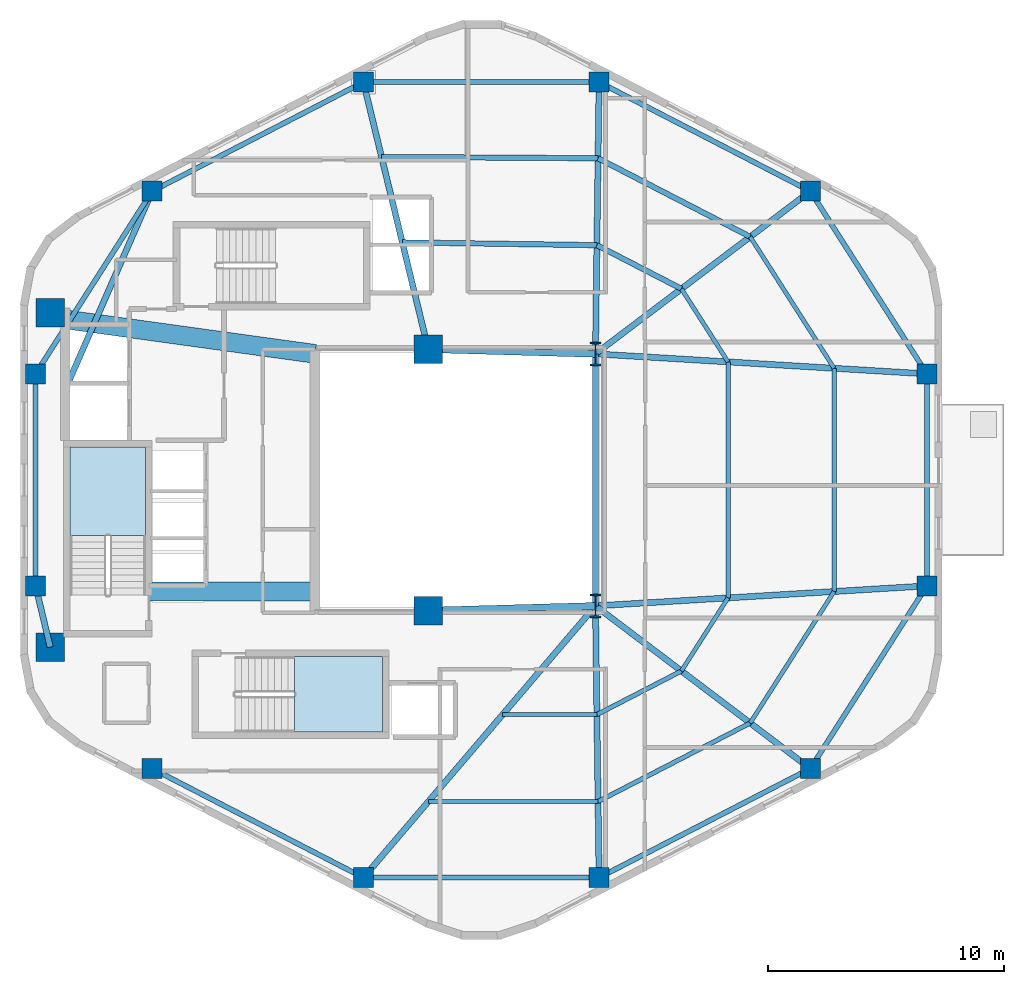
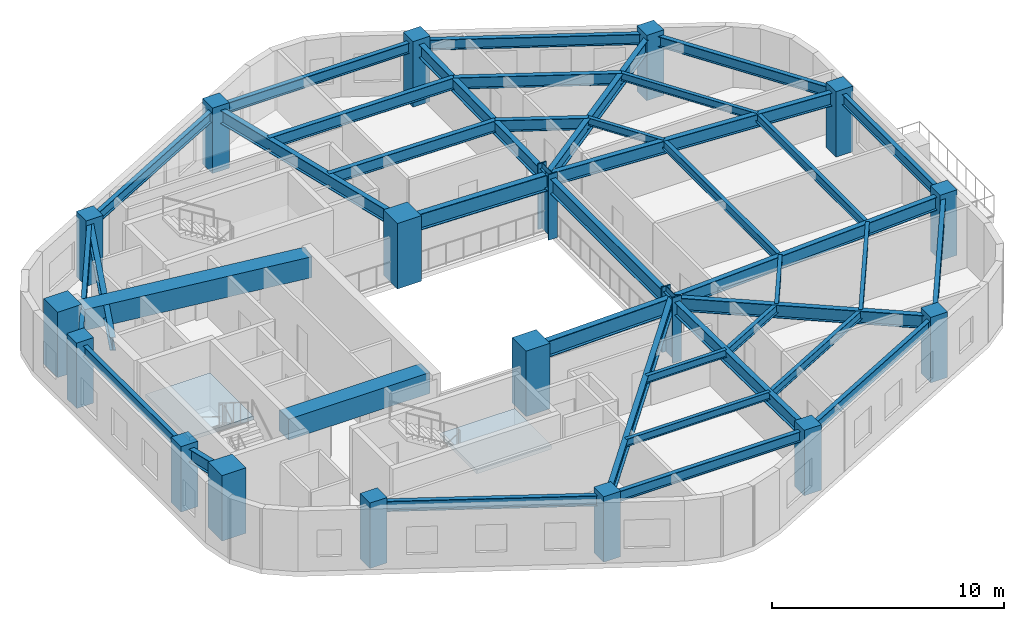
# One storey, part 1 of 7: 40 beams, 18 columns, 2 slabs, 2 elements without a shape of their own.
"""IFC4 building model written with IfcOpenShell, lengths in metres."""

import ifcopenshell
import ifcopenshell.guid

model = None  # the IFC model being written
_history = None  # IfcOwnerHistory: only IFC2X3 demands one
_inside = {}  # id of a spatial element -> (the spatial element, [elements in it])
_under = {}  # id of a project, library or spatial element -> (it, [spatial elements below it])
_declared = {}  # id of a project -> (the project, [libraries it declares])
_typed = {}  # id of a type object -> (the type object, [elements of that type])
_made_of = {}  # id of a material, layer set ... -> (it, [elements and type objects made of it])


def new_model(schema):
    """Start an empty IFC model of exactly this schema.

    Asked for "IFC4X3", IfcOpenShell would pick the latest addendum, in which some entities
    have other attributes; the version numbers below select the first issue.
    IFC2X3 requires an IfcOwnerHistory on every rooted entity: one is made here for all.
    """
    global model, _history
    if schema == "IFC4X3":
        model = ifcopenshell.file(schema_version=(4, 3, 0, 0))
    else:
        model = ifcopenshell.file(schema=schema)
    _inside.clear()
    _under.clear()
    _declared.clear()
    _typed.clear()
    _made_of.clear()
    _history = None
    if model.schema == "IFC2X3":
        org = make("IfcOrganization", Name="unknown")
        user = make(
            "IfcPersonAndOrganization",
            ThePerson=make("IfcPerson", FamilyName="unknown"),
            TheOrganization=org,
        )
        app = make(
            "IfcApplication",
            ApplicationDeveloper=org,
            Version="unknown",
            ApplicationFullName="unknown",
            ApplicationIdentifier="unknown",
        )
        _history = make(
            "IfcOwnerHistory",
            OwningUser=user,
            OwningApplication=app,
            ChangeAction="ADDED",
            CreationDate=0,
        )
    return model


def make(cls, **values):
    """One entity of the class cls with the attributes given. An attribute that is None is left unset."""
    return model.create_entity(
        cls, **{name: value for name, value in values.items() if value is not None}
    )


def rooted(cls, **values):
    """An entity with a GlobalId (a new one), such as an element, a storey or a relation."""
    return make(cls, GlobalId=ifcopenshell.guid.new(), OwnerHistory=_history, **values)


def si_unit(unit_type, name, prefix=None):
    """IfcSIUnit, for example si_unit("LENGTHUNIT", "METRE", prefix="MILLI")."""
    return make("IfcSIUnit", UnitType=unit_type, Prefix=prefix, Name=name)


def assignment(units):
    """IfcUnitAssignment: the units of a project."""
    return None if units is None else make("IfcUnitAssignment", Units=units)


def point(xyz):
    """IfcCartesianPoint."""
    return None if xyz is None else make("IfcCartesianPoint", Coordinates=xyz)


def direction(xyz):
    """IfcDirection."""
    return None if xyz is None else make("IfcDirection", DirectionRatios=xyz)


def frame(location, z_axis=None, x_axis=None):
    """IfcAxis2Placement3D, a coordinate frame: its origin and axes. An axis left out is left unset."""
    return make(
        "IfcAxis2Placement3D",
        Location=point(location),
        Axis=direction(z_axis),
        RefDirection=direction(x_axis),
    )


def frame_2d(location, x_axis=None):
    """IfcAxis2Placement2D, a coordinate frame in the plane: its origin and x axis."""
    return make(
        "IfcAxis2Placement2D", Location=point(location), RefDirection=direction(x_axis)
    )


def origin():
    """The frame at (0, 0, 0) with its axes left unset."""
    return frame((0.0, 0.0, 0.0))


def origin_2d():
    """The frame at (0, 0) in the plane with its x axis left unset."""
    return frame_2d((0.0, 0.0))


def place(relative_to, where):
    """IfcLocalPlacement: puts the frame where relative to a parent placement (None: the world)."""
    return make(
        "IfcLocalPlacement", PlacementRelTo=relative_to, RelativePlacement=where
    )


def context(
    kind, dimensions, precision=None, world=None, true_north=None, identifier=None
):
    """IfcGeometricRepresentationContext, for example the 3D "Model" context."""
    return make(
        "IfcGeometricRepresentationContext",
        ContextIdentifier=identifier,
        ContextType=kind,
        CoordinateSpaceDimension=dimensions,
        Precision=precision,
        WorldCoordinateSystem=world,
        TrueNorth=true_north,
    )


def subcontext(parent, identifier, kind, view, scale=None):
    """IfcGeometricRepresentationSubContext, for example "Body" below "Model"."""
    return make(
        "IfcGeometricRepresentationSubContext",
        ContextIdentifier=identifier,
        ContextType=kind,
        ParentContext=parent,
        TargetScale=scale,
        TargetView=view,
    )


def project(units=None, contexts=None):
    """IfcProject with its units and contexts."""
    return rooted(
        "IfcProject",
        Name="project",
        RepresentationContexts=contexts,
        UnitsInContext=assignment(units),
    )


def spatial(cls, under=None, at=None, **own):
    """A site, building, storey or space (cls), placed at a placement, below another one or the project."""
    s = rooted(cls, ObjectPlacement=at, **own)
    if under is not None:
        _under.setdefault(under.id(), (under, []))[1].append(s)
    return s


def polyline(points):
    """IfcPolyline through the points."""
    return make("IfcPolyline", Points=[point(p) for p in points])


def profile(cls, at=None, kind="AREA", **sizes):
    """A parametric profile (cls). Its sizes go by their IFC names, for example OverallWidth=200.0."""
    return make(cls, ProfileType=kind, Position=at, **sizes)


def rectangle(**sizes):
    """IfcRectangleProfileDef."""
    return profile("IfcRectangleProfileDef", **sizes)


def i_section(**sizes):
    """IfcIShapeProfileDef."""
    return profile("IfcIShapeProfileDef", **sizes)


def outline(outer, holes=None, kind="AREA"):
    """IfcArbitraryClosedProfileDef: a profile drawn as a closed curve; with holes, ...WithVoids."""
    if holes is None:
        return make("IfcArbitraryClosedProfileDef", ProfileType=kind, OuterCurve=outer)
    return make(
        "IfcArbitraryProfileDefWithVoids",
        ProfileType=kind,
        OuterCurve=outer,
        InnerCurves=holes,
    )


def extrude(swept, where, along, depth):
    """IfcExtrudedAreaSolid: the profile swept, set in the frame where, extruded along a direction by depth."""
    return make(
        "IfcExtrudedAreaSolid",
        SweptArea=swept,
        Position=where,
        ExtrudedDirection=direction(along),
        Depth=depth,
    )


def shape(context_of_items, identifier, shape_type, items):
    """IfcShapeRepresentation: the items that make up one representation, for example the "Body"."""
    return make(
        "IfcShapeRepresentation",
        ContextOfItems=context_of_items,
        RepresentationIdentifier=identifier,
        RepresentationType=shape_type,
        Items=items,
    )


def material(Name=None, Category=None):
    """IfcMaterial."""
    return make("IfcMaterial", Name=Name, Category=Category)


def layer(
    of_material, thickness, ventilated=None, Name=None, Category=None, Priority=None
):
    """IfcMaterialLayer: one layer of a wall or slab, of a material (None: an air gap)."""
    return make(
        "IfcMaterialLayer",
        Material=of_material,
        LayerThickness=thickness,
        IsVentilated=ventilated,
        Name=Name,
        Category=Category,
        Priority=Priority,
    )


def layer_set(layers, Name=None):
    """IfcMaterialLayerSet."""
    return make("IfcMaterialLayerSet", MaterialLayers=layers, LayerSetName=Name)


def material_profile(
    of_material, cross_section, Name=None, Category=None, Priority=None
):
    """IfcMaterialProfile: a cross section and its material."""
    return make(
        "IfcMaterialProfile",
        Name=Name,
        Material=of_material,
        Profile=cross_section,
        Priority=Priority,
        Category=Category,
    )


def profile_set(profiles, Name=None, composite=None):
    """IfcMaterialProfileSet."""
    return make(
        "IfcMaterialProfileSet",
        Name=Name,
        MaterialProfiles=profiles,
        CompositeProfile=composite,
    )


def made_of(thing, what):
    """Note that an element or type object is made of a material, layer set ...; save() writes the relation."""
    if what is not None:
        _made_of.setdefault(what.id(), (what, []))[1].append(thing)
    return thing


def type_object(cls, material=None, **own):
    """A type object (cls), such as IfcWallType, which elements share."""
    return made_of(rooted(cls, **own), material)


def element(
    cls,
    number,
    at=None,
    inside=None,
    cuts=None,
    type_object=None,
    material=None,
    context=None,
    identifier="Body",
    shape_type=None,
    held_by="IfcProductDefinitionShape",
    body=None,
    shapes=None,
    **own,
):
    """One element of the class cls, such as IfcWall. Its Tag is "e" and its number.

    at: its placement. inside: the storey or other place that contains it. cuts: it is an
    opening in that element (IfcRelVoidsElement). A single representation is given by context,
    identifier, shape_type and body (its items); several are given by shapes. held_by: the class
    of the entity that holds the representations. save() writes the other relations.
    """
    e = rooted(cls, Tag="e%d" % number, ObjectPlacement=at, **own)
    if body is not None:
        shapes = [shape(context, identifier, shape_type, body)]
    if shapes is not None:
        e.Representation = make(held_by, Representations=shapes)
    if inside is not None:
        _inside.setdefault(inside.id(), (inside, []))[1].append(e)
    if cuts is not None:
        rooted(
            "IfcRelVoidsElement", RelatingBuildingElement=cuts, RelatedOpeningElement=e
        )
    if type_object is not None:
        _typed.setdefault(type_object.id(), (type_object, []))[1].append(e)
    return made_of(e, material)


def aggregate(whole, parts):
    """IfcRelAggregates: a whole, such as a stair, and the parts it consists of."""
    return rooted("IfcRelAggregates", RelatingObject=whole, RelatedObjects=parts)


def save(model, path):
    """Write the relations noted so far, then the file.

    IfcRelAggregates (storeys below a building ...), IfcRelContainedInSpatialStructure (elements
    in a storey), IfcRelDefinesByType, IfcRelAssociatesMaterial and IfcRelDeclares: one each for
    every whole, place, type object, material and project.
    """
    for whole, parts in _under.values():
        aggregate(whole, parts)
    for where, things in _inside.values():
        rooted(
            "IfcRelContainedInSpatialStructure",
            RelatedElements=things,
            RelatingStructure=where,
        )
    for kind, things in _typed.values():
        rooted("IfcRelDefinesByType", RelatedObjects=things, RelatingType=kind)
    for what, things in _made_of.values():
        rooted("IfcRelAssociatesMaterial", RelatedObjects=things, RelatingMaterial=what)
    for by, libraries in _declared.values():
        rooted("IfcRelDeclares", RelatingContext=by, RelatedDefinitions=libraries)
    model.write(path)


model = new_model("IFC4")

# Units and contexts
model_context = context("Model", 3, precision=1e-05, world=origin(), true_north=direction((0.0, 1.0)))
body_context = subcontext(model_context, "Body", "Model", "MODEL_VIEW")
ifc_project = project(units=[si_unit("LENGTHUNIT", "METRE"), si_unit("AREAUNIT", "SQUARE_METRE"), si_unit("VOLUMEUNIT", "CUBIC_METRE"), si_unit("PLANEANGLEUNIT", "RADIAN"), si_unit("MASSUNIT", "GRAM", prefix="KILO"), si_unit("THERMODYNAMICTEMPERATUREUNIT", "KELVIN"), si_unit("POWERUNIT", "WATT")], contexts=[model_context])

# Site, building, storey
site_placement = place(None, origin())
site = spatial("IfcSite", under=ifc_project, at=site_placement, CompositionType="ELEMENT")
building_placement = place(site_placement, origin())
building = spatial("IfcBuilding", under=site, at=building_placement, Name="Skarre Station Tower", CompositionType="ELEMENT")
storey_placement = place(building_placement, frame((0.0, 0.0, 213.699951171875)))
storey = spatial("IfcBuildingStorey", under=building, at=storey_placement, Name="L58", CompositionType="ELEMENT", Elevation=213.699951171875)

# Columns
ifc_material_1 = material(Name="Concrete C60/75", Category="concrete")
ifc_material_profile_1 = material_profile(ifc_material_1, rectangle(XDim=1.199951171875, YDim=1.199951171875, at=origin_2d()), Name="Concrete C60/75")
ifc_profile_set_1 = profile_set([ifc_material_profile_1], Name="Concrete C60/75")
column_type_1 = type_object("IfcColumnType", Name="RC Structural Column RC-COL-1200X1200", PredefinedType="COLUMN", material=ifc_profile_set_1)
for number, where, z_axis, x_axis, name in (
    (1, (16.300048828125, 16.89990234375, 0.0), (0.0, 0.0, 1.0), (1.0, 0.0, 0.0), "L58 Core Column CC-SW"),
    (2, (16.300048828125, 31.10009765625, 0.0), (0.0, 0.0, 1.0), (1.0, 0.0, 0.0), "L58 Core Column CC-NW"),
    (3, (32.35009765625, 18.449951171875, 0.0), (0.0, 0.0, 1.0), (1.0, 0.0, 0.0), "L58 Core Column CC-SE"),
    (4, (32.35009765625, 29.550048828125, 0.0), (0.0, 0.0, 1.0), (1.0, 0.0, 0.0), "L58 Core Column CC-NE"),
):
    element("IfcColumn", number, at=place(storey_placement, frame(where, z_axis=z_axis, x_axis=x_axis)), inside=storey, type_object=column_type_1, Name=name, PredefinedType="COLUMN", context=body_context, shape_type="SweptSolid", body=[
        extrude(rectangle(XDim=1.199951171875, YDim=1.199951171875, at=origin_2d()), origin(), (0.0, 0.0, 1.0), 3.449951171875),
    ])
ifc_material_2 = material(Name="Concrete C50/60", Category="concrete")
ifc_material_profile_2 = material_profile(ifc_material_2, rectangle(XDim=0.85009765625, YDim=0.85009765625, at=origin_2d()), Name="Concrete C50/60")
ifc_profile_set_2 = profile_set([ifc_material_profile_2], Name="Concrete C50/60")
column_type_2 = type_object("IfcColumnType", Name="RC Structural Column RC-COL-850X850", PredefinedType="COLUMN", material=ifc_profile_set_2)
for number, where, z_axis, x_axis, name in (
    (5, (48.573974609375, 36.257080078125, 0.0), (0.0, 0.0, 1.0), (1.0, 0.0, 0.0), "L58 Zone 3 Perimeter Column F0C1"),
    (6, (39.60205078125, 40.887939453125, 0.0), (0.0, 0.0, 1.0), (1.0, 0.0, 0.0), "L58 Zone 3 Perimeter Column F0C2"),
    (7, (29.597900390625, 40.887939453125, 0.0), (0.0, 0.0, 1.0), (1.0, 0.0, 0.0), "L58 Zone 3 Perimeter Column F1C1"),
    (8, (20.6259765625, 36.257080078125, 0.0), (0.0, 0.0, 1.0), (1.0, 0.0, 0.0), "L58 Zone 3 Perimeter Column F1C2"),
    (9, (15.677978515625, 28.5009765625, 0.0), (0.0, 0.0, 1.0), (1.0, 0.0, 0.0), "L58 Zone 3 Perimeter Column F2C1"),
    (10, (15.677978515625, 19.4990234375, 0.0), (0.0, 0.0, 1.0), (1.0, 0.0, 0.0), "L58 Zone 3 Perimeter Column F2C2"),
    (11, (20.6259765625, 11.742919921875, 0.0), (0.0, 0.0, 1.0), (1.0, 0.0, 0.0), "L58 Zone 3 Perimeter Column F3C1"),
    (12, (29.597900390625, 7.112060546875, 0.0), (0.0, 0.0, 1.0), (1.0, 0.0, 0.0), "L58 Zone 3 Perimeter Column F3C2"),
    (13, (39.60205078125, 7.112060546875, 0.0), (0.0, 0.0, 1.0), (1.0, 0.0, 0.0), "L58 Zone 3 Perimeter Column F4C1"),
    (14, (48.573974609375, 11.742919921875, 0.0), (0.0, 0.0, 1.0), (1.0, 0.0, 0.0), "L58 Zone 3 Perimeter Column F4C2"),
    (15, (53.52197265625, 19.4990234375, 0.0), (0.0, 0.0, 1.0), (1.0, 0.0, 0.0), "L58 Zone 3 Perimeter Column F5C1"),
    (16, (53.52197265625, 28.5009765625, 0.0), (0.0, 0.0, 1.0), (1.0, 0.0, 0.0), "L58 Zone 3 Perimeter Column F5C2"),
):
    element("IfcColumn", number, at=place(storey_placement, frame(where, z_axis=z_axis, x_axis=x_axis)), inside=storey, type_object=column_type_2, Name=name, PredefinedType="COLUMN", context=body_context, shape_type="SweptSolid", body=[
        extrude(rectangle(XDim=0.85009765625, YDim=0.85009765625, at=origin_2d()), origin(), (0.0, 0.0, 1.0), 3.449951171875),
    ])
ifc_material_3 = material(Name="Steel ASTM A913 Grade 65", Category="steel")
ifc_material_profile_3 = material_profile(ifc_material_3, i_section(OverallWidth=0.430908203125, OverallDepth=0.987060546875, WebThickness=0.033935546875, FlangeThickness=0.06201171875, at=origin_2d()), Name="Steel ASTM A913 Grade 65")
ifc_profile_set_3 = profile_set([ifc_material_profile_3], Name="Steel ASTM A913 Grade 65")
column_type_3 = type_object("IfcColumnType", Name="Steel Column W36X441", PredefinedType="COLUMN", material=ifc_profile_set_3)
for number, where, z_axis, x_axis, name in (
    (17, (39.449951171875, 18.64990234375, 0.0), (0.0, 0.0, 1.0), (1.0, 0.0, 0.0), "L58 Atrium Spine Column AC-SE"),
    (18, (39.449951171875, 29.35009765625, 0.0), (0.0, 0.0, 1.0), (1.0, 0.0, 0.0), "L58 Atrium Spine Column AC-NE"),
):
    element("IfcColumn", number, at=place(storey_placement, frame(where, z_axis=z_axis, x_axis=x_axis)), inside=storey, type_object=column_type_3, Name=name, PredefinedType="COLUMN", context=body_context, shape_type="SweptSolid", body=[
        extrude(i_section(OverallWidth=0.430908203125, OverallDepth=0.987060546875, WebThickness=0.033935546875, FlangeThickness=0.06201171875, at=origin_2d()), origin(), (0.0, 0.0, 1.0), 3.449951171875),
    ])

# Beams
ifc_material_4 = material(Name="Concrete C70/85", Category="concrete")
ifc_material_profile_4 = material_profile(ifc_material_4, rectangle(XDim=0.800048828125, YDim=1.10009765625, at=origin_2d()), Name="Concrete C70/85")
ifc_profile_set_4 = profile_set([ifc_material_profile_4], Name="Concrete C70/85")
beam_type_1 = type_object("IfcBeamType", Name="RC Core Coupling Lintel 800x1100", PredefinedType="LINTEL", material=ifc_profile_set_4)
beam_1_placement = place(storey_placement, frame((20.489990234375, 19.260009765625, 2.64013671875), z_axis=(1.0, 0.0, 0.0), x_axis=(0.0, 1.0, 0.0)))
element("IfcBeam", 19, at=beam_1_placement, inside=storey, type_object=beam_type_1, Name="L58 South Core Coupling Lintel", PredefinedType="LINTEL", context=body_context, shape_type="SweptSolid", body=[
    extrude(rectangle(XDim=0.800048828125, YDim=1.10009765625, at=origin_2d()), origin(), (0.0, 0.0, 1.0), 7.06005859375),
])
beam_2_placement = place(storey_placement, frame((17.050048828125, 30.800048828125, 2.64013671875), z_axis=(0.990599723633, -0.136792498109, 0.0), x_axis=(0.136792498109, 0.990599723633, 0.0)))
element("IfcBeam", 20, at=beam_2_placement, inside=storey, type_object=beam_type_1, Name="L58 North Core Coupling Lintel", PredefinedType="LINTEL", context=body_context, shape_type="SweptSolid", body=[
    extrude(rectangle(XDim=0.800048828125, YDim=1.10009765625, at=origin_2d()), origin(), (0.0, 0.0, 1.0), 10.599609375),
])
ifc_material_5 = material(Name="Steel ASTM A992 Grade 50", Category="steel")
ifc_material_profile_5 = material_profile(ifc_material_5, i_section(OverallWidth=0.256103515625, OverallDepth=0.693115234375, WebThickness=0.013916015625, FlangeThickness=0.02392578125, at=origin_2d()), Name="Steel ASTM A992 Grade 50")
ifc_profile_set_5 = profile_set([ifc_material_profile_5], Name="Steel ASTM A992 Grade 50")
beam_type_2 = type_object("IfcBeamType", Name="Steel Beam W27X114", PredefinedType="BEAM", material=ifc_profile_set_5)
beam_3_placement = place(storey_placement, frame((39.449951171875, 29.35009765625, 2.843017578125), z_axis=(0.797308988117, 0.603571352425, 0.0), x_axis=(-0.603571352425, 0.797308988117, 0.0)))
element("IfcBeam", 21, at=beam_3_placement, inside=storey, type_object=beam_type_2, Name="L58 Radial Floor Girder F0C1", PredefinedType="BEAM", context=body_context, shape_type="SweptSolid", body=[
    extrude(i_section(OverallWidth=0.256103515625, OverallDepth=0.693115234375, WebThickness=0.013916015625, FlangeThickness=0.02392578125, at=origin_2d()), origin(), (0.0, 0.0, 1.0), 11.443603515625),
])
beam_4_placement = place(storey_placement, frame((39.449951171875, 29.35009765625, 2.843017578125), z_axis=(0.013181528887, 0.999913119874, 0.0), x_axis=(-0.999913119874, 0.013181528887, 0.0)))
element("IfcBeam", 22, at=beam_4_placement, inside=storey, type_object=beam_type_2, Name="L58 Radial Floor Girder F0C2", PredefinedType="BEAM", context=body_context, shape_type="SweptSolid", body=[
    extrude(i_section(OverallWidth=0.256103515625, OverallDepth=0.693115234375, WebThickness=0.013916015625, FlangeThickness=0.02392578125, at=origin_2d()), origin(), (0.0, 0.0, 1.0), 11.538818359375),
])
beam_5_placement = place(storey_placement, frame((32.35009765625, 29.550048828125, 2.843017578125), z_axis=(-0.235892880832, 0.971779063765, 0.0), x_axis=(-0.971779063765, -0.235892880832, 0.0)))
element("IfcBeam", 23, at=beam_5_placement, inside=storey, type_object=beam_type_2, Name="L58 Radial Floor Girder F1C1", PredefinedType="BEAM", context=body_context, shape_type="SweptSolid", body=[
    extrude(i_section(OverallWidth=0.256103515625, OverallDepth=0.693115234375, WebThickness=0.013916015625, FlangeThickness=0.02392578125, at=origin_2d()), origin(), (0.0, 0.0, 1.0), 11.667236328125),
])
beam_6_placement = place(storey_placement, frame((17.010009765625, 28.0, 2.843017578125), z_axis=(0.401144174417, 0.916014929644, 0.0), x_axis=(-0.916014929644, 0.401144174417, 0.0)))
element("IfcBeam", 24, at=beam_6_placement, inside=storey, type_object=beam_type_2, Name="L58 Radial Floor Girder F1C2", PredefinedType="BEAM", context=body_context, shape_type="SweptSolid", body=[
    extrude(i_section(OverallWidth=0.256103515625, OverallDepth=0.693115234375, WebThickness=0.013916015625, FlangeThickness=0.02392578125, at=origin_2d()), origin(), (0.0, 0.0, 1.0), 9.01416015625),
])
beam_7_placement = place(storey_placement, frame((16.300048828125, 16.89990234375, 2.843017578125), z_axis=(-0.232764815072, 0.972533053867, 0.0), x_axis=(-0.972533053867, -0.232764815072, 0.0)))
element("IfcBeam", 25, at=beam_7_placement, inside=storey, type_object=beam_type_2, Name="L58 Radial Floor Girder F2C2", PredefinedType="BEAM", context=body_context, shape_type="SweptSolid", body=[
    extrude(i_section(OverallWidth=0.256103515625, OverallDepth=0.693115234375, WebThickness=0.013916015625, FlangeThickness=0.02392578125, at=origin_2d()), origin(), (0.0, 0.0, 1.0), 2.672607421875),
])
beam_8_placement = place(storey_placement, frame((39.449951171875, 18.64990234375, 2.843017578125), z_axis=(-0.649364312169, -0.760477475065, 0.0), x_axis=(0.760477475065, -0.649364312169, 0.0)))
element("IfcBeam", 26, at=beam_8_placement, inside=storey, type_object=beam_type_2, Name="L58 Radial Floor Girder F3C2", PredefinedType="BEAM", context=body_context, shape_type="SweptSolid", body=[
    extrude(i_section(OverallWidth=0.256103515625, OverallDepth=0.693115234375, WebThickness=0.013916015625, FlangeThickness=0.02392578125, at=origin_2d()), origin(), (0.0, 0.0, 1.0), 15.171875),
])
beam_9_placement = place(storey_placement, frame((39.449951171875, 18.64990234375, 2.843017578125), z_axis=(0.013181528887, -0.999913119874, 0.0), x_axis=(0.999913119874, 0.013181528887, 0.0)))
element("IfcBeam", 27, at=beam_9_placement, inside=storey, type_object=beam_type_2, Name="L58 Radial Floor Girder F4C1", PredefinedType="BEAM", context=body_context, shape_type="SweptSolid", body=[
    extrude(i_section(OverallWidth=0.256103515625, OverallDepth=0.693115234375, WebThickness=0.013916015625, FlangeThickness=0.02392578125, at=origin_2d()), origin(), (0.0, 0.0, 1.0), 11.538818359375),
])
beam_10_placement = place(storey_placement, frame((39.449951171875, 18.64990234375, 2.843017578125), z_axis=(0.797308988117, -0.603571352425, 0.0), x_axis=(0.603571352425, 0.797308988117, 0.0)))
element("IfcBeam", 28, at=beam_10_placement, inside=storey, type_object=beam_type_2, Name="L58 Radial Floor Girder F4C2", PredefinedType="BEAM", context=body_context, shape_type="SweptSolid", body=[
    extrude(i_section(OverallWidth=0.256103515625, OverallDepth=0.693115234375, WebThickness=0.013916015625, FlangeThickness=0.02392578125, at=origin_2d()), origin(), (0.0, 0.0, 1.0), 11.443603515625),
])
for number, where, z_axis, x_axis, name in (
    (29, (39.449951171875, 18.64990234375, 2.843017578125), (0.998184432941, 0.060231535207, 0.0), (-0.060231535207, 0.998184432941, 0.0), "L58 Radial Floor Girder F5C1"),
    (30, (39.449951171875, 29.35009765625, 2.843017578125), (0.998184432941, -0.060231535207, 0.0), (0.060231535207, 0.998184432941, 0.0), "L58 Radial Floor Girder F5C2"),
):
    element("IfcBeam", number, at=place(storey_placement, frame(where, z_axis=z_axis, x_axis=x_axis)), inside=storey, type_object=beam_type_2, Name=name, PredefinedType="BEAM", context=body_context, shape_type="SweptSolid", body=[
        extrude(i_section(OverallWidth=0.256103515625, OverallDepth=0.693115234375, WebThickness=0.013916015625, FlangeThickness=0.02392578125, at=origin_2d()), origin(), (0.0, 0.0, 1.0), 14.09765625),
    ])
ifc_material_profile_6 = material_profile(ifc_material_5, i_section(OverallWidth=0.26806640625, OverallDepth=0.77001953125, WebThickness=0.01611328125, FlangeThickness=0.02490234375, at=origin_2d()), Name="Steel ASTM A992 Grade 50")
ifc_profile_set_6 = profile_set([ifc_material_profile_6], Name="Steel ASTM A992 Grade 50")
beam_type_3 = type_object("IfcBeamType", Name="Steel Beam W30X132", PredefinedType="BEAM", material=ifc_profile_set_6)
beam_11_placement = place(storey_placement, frame((39.449951171875, 18.64990234375, 2.804931640625), z_axis=(0.0, 1.0, 0.0), x_axis=(-1.0, 0.0, 0.0)))
element("IfcBeam", 31, at=beam_11_placement, inside=storey, type_object=beam_type_3, Name="L58 Atrium East Edge Girder", PredefinedType="BEAM", context=body_context, shape_type="SweptSolid", body=[
    extrude(i_section(OverallWidth=0.26806640625, OverallDepth=0.77001953125, WebThickness=0.01611328125, FlangeThickness=0.02490234375, at=origin_2d()), origin(), (0.0, 0.0, 1.0), 10.7001953125),
])
ifc_material_profile_7 = material_profile(ifc_material_5, i_section(OverallWidth=0.2919921875, OverallDepth=0.85888671875, WebThickness=0.01708984375, FlangeThickness=0.031005859375, at=origin_2d()), Name="Steel ASTM A992 Grade 50")
ifc_profile_set_7 = profile_set([ifc_material_profile_7], Name="Steel ASTM A992 Grade 50")
beam_type_4 = type_object("IfcBeamType", Name="Steel Beam W33X169", PredefinedType="BEAM", material=ifc_profile_set_7)
for number, where, z_axis, x_axis, name in (
    (32, (32.35009765625, 18.449951171875, 2.760009765625), (0.999603666405, 0.028151556095, 0.0), (-0.028151556095, 0.999603666405, 0.0), "L58 Atrium South Edge Girder"),
    (33, (32.35009765625, 29.550048828125, 2.760009765625), (0.999603666405, -0.028151556095, 0.0), (0.028151556095, 0.999603666405, 0.0), "L58 Atrium North Edge Girder"),
):
    element("IfcBeam", number, at=place(storey_placement, frame(where, z_axis=z_axis, x_axis=x_axis)), inside=storey, type_object=beam_type_4, Name=name, PredefinedType="BEAM", context=body_context, shape_type="SweptSolid", body=[
        extrude(i_section(OverallWidth=0.2919921875, OverallDepth=0.85888671875, WebThickness=0.01708984375, FlangeThickness=0.031005859375, at=origin_2d()), origin(), (0.0, 0.0, 1.0), 7.102783203125),
    ])
ifc_material_profile_8 = material_profile(ifc_material_5, i_section(OverallWidth=0.177978515625, OverallDepth=0.403076171875, WebThickness=0.008056640625, FlangeThickness=0.010986328125, at=origin_2d()), Name="Steel ASTM A992 Grade 50")
ifc_profile_set_8 = profile_set([ifc_material_profile_8], Name="Steel ASTM A992 Grade 50")
beam_type_5 = type_object("IfcBeamType", Name="Steel Joist W16X36", PredefinedType="JOIST", material=ifc_profile_set_8)
beam_12_placement = place(storey_placement, frame((35.509033203125, 14.034912109375, 2.988037109375), z_axis=(1.0, 0.0, 0.0), x_axis=(0.0, 1.0, 0.0)))
element("IfcBeam", 34, at=beam_12_placement, inside=storey, type_object=beam_type_5, Name="L58 Auxiliary Composite Joist 7", PredefinedType="JOIST", context=body_context, shape_type="SweptSolid", body=[
    extrude(i_section(OverallWidth=0.177978515625, OverallDepth=0.403076171875, WebThickness=0.008056640625, FlangeThickness=0.010986328125, at=origin_2d()), origin(), (0.0, 0.0, 1.0), 4.001953125),
])
beam_13_placement = place(storey_placement, frame((32.35693359375, 10.343017578125, 2.988037109375), z_axis=(1.0, 0.0, 0.0), x_axis=(0.0, 1.0, 0.0)))
element("IfcBeam", 35, at=beam_13_placement, inside=storey, type_object=beam_type_5, Name="L58 Auxiliary Composite Joist 8", PredefinedType="JOIST", context=body_context, shape_type="SweptSolid", body=[
    extrude(i_section(OverallWidth=0.177978515625, OverallDepth=0.403076171875, WebThickness=0.008056640625, FlangeThickness=0.010986328125, at=origin_2d()), origin(), (0.0, 0.0, 1.0), 7.2021484375),
])
beam_14_placement = place(storey_placement, frame((43.10009765625, 15.886962890625, 2.988037109375), z_axis=(0.537716516977, 0.843125700812, 0.0), x_axis=(-0.843125700812, 0.537716516977, 0.0)))
element("IfcBeam", 36, at=beam_14_placement, inside=storey, type_object=beam_type_5, Name="L58 Auxiliary Composite Joist 11", PredefinedType="JOIST", context=body_context, shape_type="SweptSolid", body=[
    extrude(i_section(OverallWidth=0.177978515625, OverallDepth=0.403076171875, WebThickness=0.008056640625, FlangeThickness=0.010986328125, at=origin_2d()), origin(), (0.0, 0.0, 1.0), 3.680419921875),
])
beam_15_placement = place(storey_placement, frame((46.01904296875, 13.677001953125, 2.988037109375), z_axis=(0.537900605588, 0.843008267165, 0.0), x_axis=(-0.843008267165, 0.537900605588, 0.0)))
element("IfcBeam", 37, at=beam_15_placement, inside=storey, type_object=beam_type_5, Name="L58 Auxiliary Composite Joist 12", PredefinedType="JOIST", context=body_context, shape_type="SweptSolid", body=[
    extrude(i_section(OverallWidth=0.177978515625, OverallDepth=0.403076171875, WebThickness=0.008056640625, FlangeThickness=0.010986328125, at=origin_2d()), origin(), (0.0, 0.0, 1.0), 6.623779296875),
])
beam_16_placement = place(storey_placement, frame((45.0791015625, 29.010009765625, 2.988037109375), z_axis=(-0.537716516977, 0.843125700812, 0.0), x_axis=(-0.843125700812, -0.537716516977, 0.0)))
element("IfcBeam", 38, at=beam_16_placement, inside=storey, type_object=beam_type_5, Name="L58 Auxiliary Composite Joist 15", PredefinedType="JOIST", context=body_context, shape_type="SweptSolid", body=[
    extrude(i_section(OverallWidth=0.177978515625, OverallDepth=0.403076171875, WebThickness=0.008056640625, FlangeThickness=0.010986328125, at=origin_2d()), origin(), (0.0, 0.0, 1.0), 3.680419921875),
])
beam_17_placement = place(storey_placement, frame((49.58203125, 28.739013671875, 2.988037109375), z_axis=(-0.537900605588, 0.843008267165, 0.0), x_axis=(-0.843008267165, -0.537900605588, 0.0)))
element("IfcBeam", 39, at=beam_17_placement, inside=storey, type_object=beam_type_5, Name="L58 Auxiliary Composite Joist 16", PredefinedType="JOIST", context=body_context, shape_type="SweptSolid", body=[
    extrude(i_section(OverallWidth=0.177978515625, OverallDepth=0.403076171875, WebThickness=0.008056640625, FlangeThickness=0.010986328125, at=origin_2d()), origin(), (0.0, 0.0, 1.0), 6.623779296875),
])
ifc_material_profile_9 = material_profile(ifc_material_5, i_section(OverallWidth=0.19091796875, OverallDepth=0.45703125, WebThickness=0.009033203125, FlangeThickness=0.013916015625, at=origin_2d()), Name="Steel ASTM A992 Grade 50")
ifc_profile_set_9 = profile_set([ifc_material_profile_9], Name="Steel ASTM A992 Grade 50")
beam_type_6 = type_object("IfcBeamType", Name="Steel Joist W18X50", PredefinedType="JOIST", material=ifc_profile_set_9)
beam_18_placement = place(storey_placement, frame((39.510986328125, 14.034912109375, 2.9609375), z_axis=(0.888660390105, 0.458565928803, 0.0), x_axis=(-0.458565928803, 0.888660390105, 0.0)))
element("IfcBeam", 40, at=beam_18_placement, inside=storey, type_object=beam_type_6, Name="L58 Auxiliary Composite Joist 9", PredefinedType="JOIST", context=body_context, shape_type="SweptSolid", body=[
    extrude(i_section(OverallWidth=0.19091796875, OverallDepth=0.45703125, WebThickness=0.009033203125, FlangeThickness=0.013916015625, at=origin_2d()), origin(), (0.0, 0.0, 1.0), 4.038818359375),
])
beam_19_placement = place(storey_placement, frame((39.55908203125, 10.343017578125, 2.9609375), z_axis=(0.88863125356, 0.458622388459, 0.0), x_axis=(-0.458622388459, 0.88863125356, 0.0)))
element("IfcBeam", 41, at=beam_19_placement, inside=storey, type_object=beam_type_6, Name="L58 Auxiliary Composite Joist 10", PredefinedType="JOIST", context=body_context, shape_type="SweptSolid", body=[
    extrude(i_section(OverallWidth=0.19091796875, OverallDepth=0.45703125, WebThickness=0.009033203125, FlangeThickness=0.013916015625, at=origin_2d()), origin(), (0.0, 0.0, 1.0), 7.26953125),
])
beam_20_placement = place(storey_placement, frame((45.0791015625, 18.989990234375, 2.9609375), z_axis=(0.0, 1.0, 0.0), x_axis=(-1.0, 0.0, 0.0)))
element("IfcBeam", 42, at=beam_20_placement, inside=storey, type_object=beam_type_6, Name="L58 Auxiliary Composite Joist 13", PredefinedType="JOIST", context=body_context, shape_type="SweptSolid", body=[
    extrude(i_section(OverallWidth=0.19091796875, OverallDepth=0.45703125, WebThickness=0.009033203125, FlangeThickness=0.013916015625, at=origin_2d()), origin(), (0.0, 0.0, 1.0), 10.02001953125),
])
beam_21_placement = place(storey_placement, frame((49.58203125, 19.260986328125, 2.9609375), z_axis=(0.0, 1.0, 0.0), x_axis=(-1.0, 0.0, 0.0)))
element("IfcBeam", 43, at=beam_21_placement, inside=storey, type_object=beam_type_6, Name="L58 Auxiliary Composite Joist 14", PredefinedType="JOIST", context=body_context, shape_type="SweptSolid", body=[
    extrude(i_section(OverallWidth=0.19091796875, OverallDepth=0.45703125, WebThickness=0.009033203125, FlangeThickness=0.013916015625, at=origin_2d()), origin(), (0.0, 0.0, 1.0), 9.47802734375),
])
ifc_material_profile_10 = material_profile(ifc_material_5, i_section(OverallWidth=0.22802734375, OverallDepth=0.60791015625, WebThickness=0.010986328125, FlangeThickness=0.01708984375, at=origin_2d()), Name="Steel ASTM A992 Grade 50")
ifc_profile_set_10 = profile_set([ifc_material_profile_10], Name="Steel ASTM A992 Grade 50")
beam_type_7 = type_object("IfcBeamType", Name="Steel Joist W24X76", PredefinedType="JOIST", material=ifc_profile_set_10)
beam_22_placement = place(storey_placement, frame((43.10009765625, 32.113037109375, 2.885986328125), z_axis=(-0.888660390105, 0.458565928803, 0.0), x_axis=(-0.458565928803, -0.888660390105, 0.0)))
element("IfcBeam", 44, at=beam_22_placement, inside=storey, type_object=beam_type_7, Name="L58 Secondary Floor Joist 1", PredefinedType="JOIST", context=body_context, shape_type="SweptSolid", body=[
    extrude(i_section(OverallWidth=0.22802734375, OverallDepth=0.60791015625, WebThickness=0.010986328125, FlangeThickness=0.01708984375, at=origin_2d()), origin(), (0.0, 0.0, 1.0), 4.038818359375),
])
beam_23_placement = place(storey_placement, frame((46.01904296875, 34.322998046875, 2.885986328125), z_axis=(-0.88863125356, 0.458622388459, 0.0), x_axis=(-0.458622388459, -0.88863125356, 0.0)))
element("IfcBeam", 45, at=beam_23_placement, inside=storey, type_object=beam_type_7, Name="L58 Secondary Floor Joist 2", PredefinedType="JOIST", context=body_context, shape_type="SweptSolid", body=[
    extrude(i_section(OverallWidth=0.22802734375, OverallDepth=0.60791015625, WebThickness=0.010986328125, FlangeThickness=0.01708984375, at=origin_2d()), origin(), (0.0, 0.0, 1.0), 7.26953125),
])
beam_24_placement = place(storey_placement, frame((39.510986328125, 33.965087890625, 2.885986328125), z_axis=(-0.999894760676, 0.014507500591, 0.0), x_axis=(-0.014507500591, -0.999894760676, 0.0)))
element("IfcBeam", 46, at=beam_24_placement, inside=storey, type_object=beam_type_7, Name="L58 Secondary Floor Joist 3", PredefinedType="JOIST", context=body_context, shape_type="SweptSolid", body=[
    extrude(i_section(OverallWidth=0.22802734375, OverallDepth=0.60791015625, WebThickness=0.010986328125, FlangeThickness=0.01708984375, at=origin_2d()), origin(), (0.0, 0.0, 1.0), 8.262939453125),
])
beam_25_placement = place(storey_placement, frame((39.55908203125, 37.656982421875, 2.885986328125), z_axis=(-0.99998149622, 0.006083355807, 0.0), x_axis=(-0.006083355807, -0.99998149622, 0.0)))
element("IfcBeam", 47, at=beam_25_placement, inside=storey, type_object=beam_type_7, Name="L58 Secondary Floor Joist 4", PredefinedType="JOIST", context=body_context, shape_type="SweptSolid", body=[
    extrude(i_section(OverallWidth=0.22802734375, OverallDepth=0.60791015625, WebThickness=0.010986328125, FlangeThickness=0.01708984375, at=origin_2d()), origin(), (0.0, 0.0, 1.0), 9.1904296875),
])
ifc_material_profile_11 = material_profile(ifc_material_5, i_section(OverallWidth=0.214111328125, OverallDepth=0.549072265625, WebThickness=0.014892578125, FlangeThickness=0.02392578125, at=origin_2d()), Name="Steel ASTM A992 Grade 50")
ifc_profile_set_11 = profile_set([ifc_material_profile_11], Name="Steel ASTM A992 Grade 50")
beam_type_8 = type_object("IfcBeamType", Name="Steel Spandrel W21X93", PredefinedType="SPANDREL", material=ifc_profile_set_11)
beam_26_placement = place(storey_placement, frame((48.573974609375, 36.257080078125, 2.9150390625), z_axis=(-0.888613027226, 0.458657702262, 0.0), x_axis=(-0.458657702262, -0.888613027226, 0.0)))
element("IfcBeam", 48, at=beam_26_placement, inside=storey, type_object=beam_type_8, Name="L58 Facet Spandrel Beam 1", PredefinedType="SPANDREL", context=body_context, shape_type="SweptSolid", body=[
    extrude(i_section(OverallWidth=0.214111328125, OverallDepth=0.549072265625, WebThickness=0.014892578125, FlangeThickness=0.02392578125, at=origin_2d()), origin(), (0.0, 0.0, 1.0), 10.096435546875),
])
beam_27_placement = place(storey_placement, frame((39.60205078125, 40.887939453125, 2.9150390625), z_axis=(-1.0, 0.0, 0.0), x_axis=(0.0, -1.0, 0.0)))
element("IfcBeam", 49, at=beam_27_placement, inside=storey, type_object=beam_type_8, Name="L58 Facet Spandrel Beam 2", PredefinedType="SPANDREL", context=body_context, shape_type="SweptSolid", body=[
    extrude(i_section(OverallWidth=0.214111328125, OverallDepth=0.549072265625, WebThickness=0.014892578125, FlangeThickness=0.02392578125, at=origin_2d()), origin(), (0.0, 0.0, 1.0), 10.004150390625),
])
beam_28_placement = place(storey_placement, frame((29.597900390625, 40.887939453125, 2.9150390625), z_axis=(-0.888613027226, -0.458657702262, 0.0), x_axis=(0.458657702262, -0.888613027226, 0.0)))
element("IfcBeam", 50, at=beam_28_placement, inside=storey, type_object=beam_type_8, Name="L58 Facet Spandrel Beam 3", PredefinedType="SPANDREL", context=body_context, shape_type="SweptSolid", body=[
    extrude(i_section(OverallWidth=0.214111328125, OverallDepth=0.549072265625, WebThickness=0.014892578125, FlangeThickness=0.02392578125, at=origin_2d()), origin(), (0.0, 0.0, 1.0), 10.096435546875),
])
beam_29_placement = place(storey_placement, frame((20.6259765625, 36.257080078125, 2.9150390625), z_axis=(-0.537826426158, -0.843055594445, 0.0), x_axis=(0.843055594445, -0.537826426158, 0.0)))
element("IfcBeam", 51, at=beam_29_placement, inside=storey, type_object=beam_type_8, Name="L58 Facet Spandrel Beam 4", PredefinedType="SPANDREL", context=body_context, shape_type="SweptSolid", body=[
    extrude(i_section(OverallWidth=0.214111328125, OverallDepth=0.549072265625, WebThickness=0.014892578125, FlangeThickness=0.02392578125, at=origin_2d()), origin(), (0.0, 0.0, 1.0), 9.199951171875),
])
beam_30_placement = place(storey_placement, frame((15.677978515625, 28.5009765625, 2.9150390625), z_axis=(0.0, -1.0, 0.0), x_axis=(1.0, 0.0, 0.0)))
element("IfcBeam", 52, at=beam_30_placement, inside=storey, type_object=beam_type_8, Name="L58 Facet Spandrel Beam 5", PredefinedType="SPANDREL", context=body_context, shape_type="SweptSolid", body=[
    extrude(i_section(OverallWidth=0.214111328125, OverallDepth=0.549072265625, WebThickness=0.014892578125, FlangeThickness=0.02392578125, at=origin_2d()), origin(), (0.0, 0.0, 1.0), 9.001953125),
])
beam_31_placement = place(storey_placement, frame((20.6259765625, 11.742919921875, 2.9150390625), z_axis=(0.888613027226, -0.458657702262, 0.0), x_axis=(0.458657702262, 0.888613027226, 0.0)))
element("IfcBeam", 53, at=beam_31_placement, inside=storey, type_object=beam_type_8, Name="L58 Facet Spandrel Beam 7", PredefinedType="SPANDREL", context=body_context, shape_type="SweptSolid", body=[
    extrude(i_section(OverallWidth=0.214111328125, OverallDepth=0.549072265625, WebThickness=0.014892578125, FlangeThickness=0.02392578125, at=origin_2d()), origin(), (0.0, 0.0, 1.0), 10.096435546875),
])
beam_32_placement = place(storey_placement, frame((29.597900390625, 7.112060546875, 2.9150390625), z_axis=(1.0, 0.0, 0.0), x_axis=(0.0, 1.0, 0.0)))
element("IfcBeam", 54, at=beam_32_placement, inside=storey, type_object=beam_type_8, Name="L58 Facet Spandrel Beam 8", PredefinedType="SPANDREL", context=body_context, shape_type="SweptSolid", body=[
    extrude(i_section(OverallWidth=0.214111328125, OverallDepth=0.549072265625, WebThickness=0.014892578125, FlangeThickness=0.02392578125, at=origin_2d()), origin(), (0.0, 0.0, 1.0), 10.004150390625),
])
beam_33_placement = place(storey_placement, frame((39.60205078125, 7.112060546875, 2.9150390625), z_axis=(0.888613027226, 0.458657702262, 0.0), x_axis=(-0.458657702262, 0.888613027226, 0.0)))
element("IfcBeam", 55, at=beam_33_placement, inside=storey, type_object=beam_type_8, Name="L58 Facet Spandrel Beam 9", PredefinedType="SPANDREL", context=body_context, shape_type="SweptSolid", body=[
    extrude(i_section(OverallWidth=0.214111328125, OverallDepth=0.549072265625, WebThickness=0.014892578125, FlangeThickness=0.02392578125, at=origin_2d()), origin(), (0.0, 0.0, 1.0), 10.096435546875),
])
beam_34_placement = place(storey_placement, frame((48.573974609375, 11.742919921875, 2.9150390625), z_axis=(0.537826426158, 0.843055594445, 0.0), x_axis=(-0.843055594445, 0.537826426158, 0.0)))
element("IfcBeam", 56, at=beam_34_placement, inside=storey, type_object=beam_type_8, Name="L58 Facet Spandrel Beam 10", PredefinedType="SPANDREL", context=body_context, shape_type="SweptSolid", body=[
    extrude(i_section(OverallWidth=0.214111328125, OverallDepth=0.549072265625, WebThickness=0.014892578125, FlangeThickness=0.02392578125, at=origin_2d()), origin(), (0.0, 0.0, 1.0), 9.199951171875),
])
beam_35_placement = place(storey_placement, frame((53.52197265625, 19.4990234375, 2.9150390625), z_axis=(0.0, 1.0, 0.0), x_axis=(-1.0, 0.0, 0.0)))
element("IfcBeam", 57, at=beam_35_placement, inside=storey, type_object=beam_type_8, Name="L58 Facet Spandrel Beam 11", PredefinedType="SPANDREL", context=body_context, shape_type="SweptSolid", body=[
    extrude(i_section(OverallWidth=0.214111328125, OverallDepth=0.549072265625, WebThickness=0.014892578125, FlangeThickness=0.02392578125, at=origin_2d()), origin(), (0.0, 0.0, 1.0), 9.001953125),
])
beam_36_placement = place(storey_placement, frame((53.52197265625, 28.5009765625, 2.9150390625), z_axis=(-0.537826426158, 0.843055594445, 0.0), x_axis=(-0.843055594445, -0.537826426158, 0.0)))
element("IfcBeam", 58, at=beam_36_placement, inside=storey, type_object=beam_type_8, Name="L58 Facet Spandrel Beam 12", PredefinedType="SPANDREL", context=body_context, shape_type="SweptSolid", body=[
    extrude(i_section(OverallWidth=0.214111328125, OverallDepth=0.549072265625, WebThickness=0.014892578125, FlangeThickness=0.02392578125, at=origin_2d()), origin(), (0.0, 0.0, 1.0), 9.199951171875),
])

# Stair, slab
ifc_material_6 = material(Name="Concrete C40/50", Category="concrete")
stair_type_1 = type_object("IfcStairType", Name="Reinforced Concrete Exit Stair ST-1", PredefinedType="HALF_TURN_STAIR", material=ifc_material_6)
stair_1_placement = place(storey_placement, origin())
stair_1 = element("IfcStair", 59, at=stair_1_placement, inside=storey, type_object=stair_type_1, Name="L58 Core Exit Stair ST-1", PredefinedType="HALF_TURN_STAIR")
ifc_layer = layer(ifc_material_6, 0.219970703125, Name="Concrete C40/50")
ifc_layer_set = layer_set([ifc_layer], Name="Concrete C40/50")
slab_type = type_object("IfcSlabType", Name="Reinforced Concrete Stair & Ramp Landing 220", PredefinedType="LANDING", material=ifc_layer_set)
slab_1_placement = place(storey_placement, frame((0.0, 0.0, 1.525146484375)))
slab_1 = element("IfcSlab", 60, at=slab_1_placement, type_object=slab_type, Name="ST-1 landing 1", PredefinedType="LANDING", context=body_context, shape_type="SweptSolid", body=[
    extrude(outline(polyline([(20.35009765625, 21.639892578125), (20.35009765625, 25.39990234375), (17.14990234375, 25.39990234375), (17.14990234375, 21.639892578125), (20.35009765625, 21.639892578125)])), origin(), (0.0, 0.0, 1.0), 0.199951171875),
])
aggregate(stair_1, [slab_1])

stair_type_2 = type_object("IfcStairType", Name="Reinforced Concrete Exit Stair ST-2", PredefinedType="HALF_TURN_STAIR", material=ifc_material_6)
stair_2_placement = place(storey_placement, origin())
stair_2 = element("IfcStair", 61, at=stair_2_placement, inside=storey, type_object=stair_type_2, Name="L58 Core Exit Stair ST-2", PredefinedType="HALF_TURN_STAIR")
slab_2_placement = place(storey_placement, frame((0.0, 0.0, 1.525146484375)))
slab_2 = element("IfcSlab", 62, at=slab_2_placement, type_object=slab_type, Name="ST-2 landing 1", PredefinedType="LANDING", context=body_context, shape_type="SweptSolid", body=[
    extrude(outline(polyline([(26.669921875, 13.300048828125), (30.39990234375, 13.300048828125), (30.39990234375, 16.5), (26.669921875, 16.5), (26.669921875, 13.300048828125)])), origin(), (0.0, 0.0, 1.0), 0.199951171875),
])
aggregate(stair_2, [slab_2])

save(model, "model.ifc")
